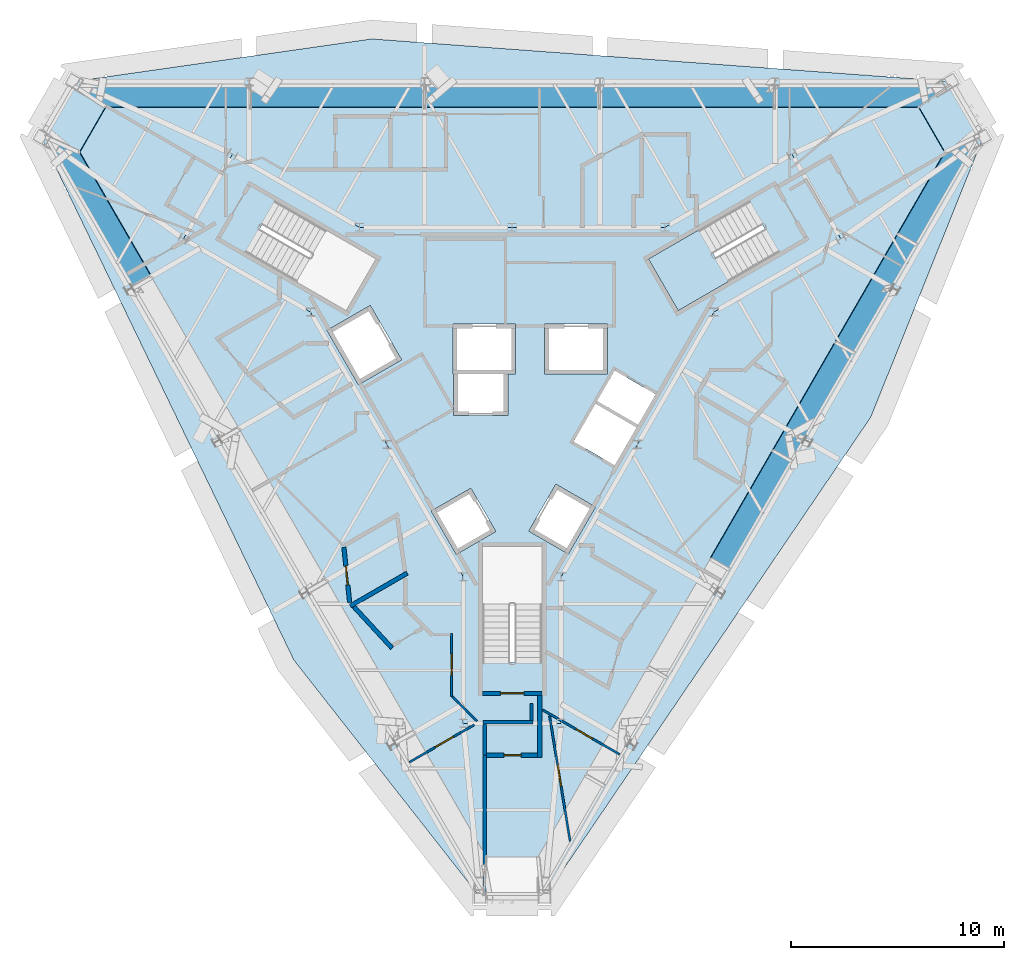
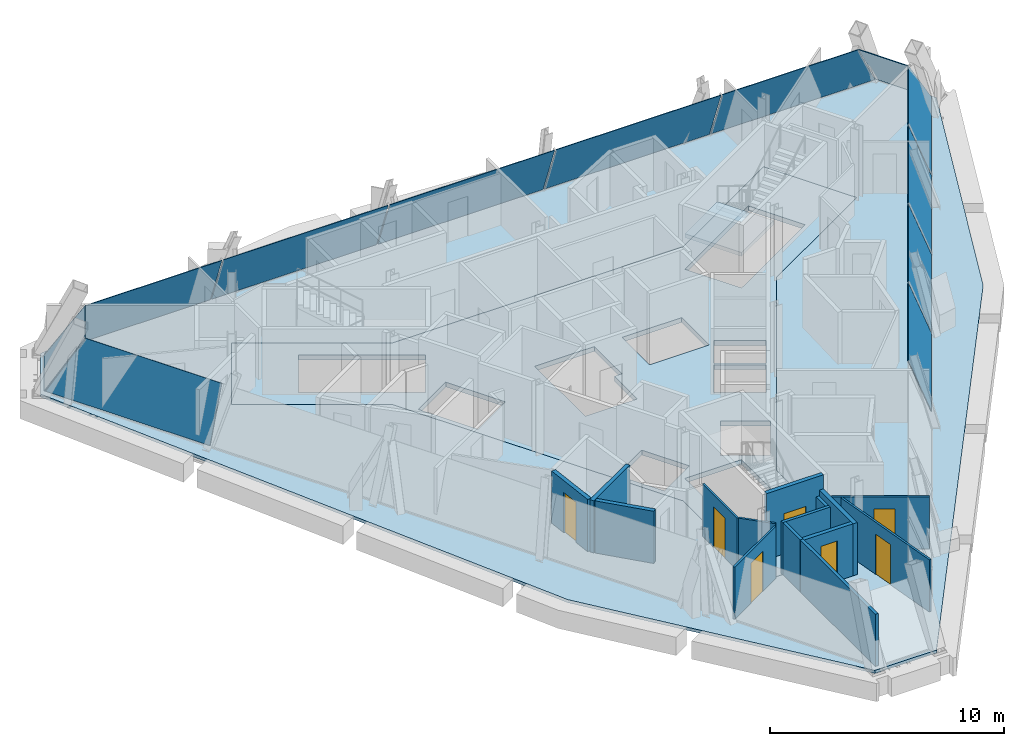
# One storey, part 6 of 13: 15 walls, 12 plates, 7 doors, 3 slabs, 7 openings, 6 elements without a shape of their own.
"""IFC4 building model written with IfcOpenShell, lengths in metres."""

import ifcopenshell
import ifcopenshell.guid

model = None  # the IFC model being written
_history = None  # IfcOwnerHistory: only IFC2X3 demands one
_inside = {}  # id of a spatial element -> (the spatial element, [elements in it])
_under = {}  # id of a project, library or spatial element -> (it, [spatial elements below it])
_declared = {}  # id of a project -> (the project, [libraries it declares])
_typed = {}  # id of a type object -> (the type object, [elements of that type])
_made_of = {}  # id of a material, layer set ... -> (it, [elements and type objects made of it])


def new_model(schema):
    """Start an empty IFC model of exactly this schema.

    Asked for "IFC4X3", IfcOpenShell would pick the latest addendum, in which some entities
    have other attributes; the version numbers below select the first issue.
    IFC2X3 requires an IfcOwnerHistory on every rooted entity: one is made here for all.
    """
    global model, _history
    if schema == "IFC4X3":
        model = ifcopenshell.file(schema_version=(4, 3, 0, 0))
    else:
        model = ifcopenshell.file(schema=schema)
    _inside.clear()
    _under.clear()
    _declared.clear()
    _typed.clear()
    _made_of.clear()
    _history = None
    if model.schema == "IFC2X3":
        org = make("IfcOrganization", Name="unknown")
        user = make(
            "IfcPersonAndOrganization",
            ThePerson=make("IfcPerson", FamilyName="unknown"),
            TheOrganization=org,
        )
        app = make(
            "IfcApplication",
            ApplicationDeveloper=org,
            Version="unknown",
            ApplicationFullName="unknown",
            ApplicationIdentifier="unknown",
        )
        _history = make(
            "IfcOwnerHistory",
            OwningUser=user,
            OwningApplication=app,
            ChangeAction="ADDED",
            CreationDate=0,
        )
    return model


def make(cls, **values):
    """One entity of the class cls with the attributes given. An attribute that is None is left unset."""
    return model.create_entity(
        cls, **{name: value for name, value in values.items() if value is not None}
    )


def rooted(cls, **values):
    """An entity with a GlobalId (a new one), such as an element, a storey or a relation."""
    return make(cls, GlobalId=ifcopenshell.guid.new(), OwnerHistory=_history, **values)


def si_unit(unit_type, name, prefix=None):
    """IfcSIUnit, for example si_unit("LENGTHUNIT", "METRE", prefix="MILLI")."""
    return make("IfcSIUnit", UnitType=unit_type, Prefix=prefix, Name=name)


def assignment(units):
    """IfcUnitAssignment: the units of a project."""
    return None if units is None else make("IfcUnitAssignment", Units=units)


def point(xyz):
    """IfcCartesianPoint."""
    return None if xyz is None else make("IfcCartesianPoint", Coordinates=xyz)


def direction(xyz):
    """IfcDirection."""
    return None if xyz is None else make("IfcDirection", DirectionRatios=xyz)


def frame(location, z_axis=None, x_axis=None):
    """IfcAxis2Placement3D, a coordinate frame: its origin and axes. An axis left out is left unset."""
    return make(
        "IfcAxis2Placement3D",
        Location=point(location),
        Axis=direction(z_axis),
        RefDirection=direction(x_axis),
    )


def frame_2d(location, x_axis=None):
    """IfcAxis2Placement2D, a coordinate frame in the plane: its origin and x axis."""
    return make(
        "IfcAxis2Placement2D", Location=point(location), RefDirection=direction(x_axis)
    )


def origin():
    """The frame at (0, 0, 0) with its axes left unset."""
    return frame((0.0, 0.0, 0.0))


def place(relative_to, where):
    """IfcLocalPlacement: puts the frame where relative to a parent placement (None: the world)."""
    return make(
        "IfcLocalPlacement", PlacementRelTo=relative_to, RelativePlacement=where
    )


def context(
    kind, dimensions, precision=None, world=None, true_north=None, identifier=None
):
    """IfcGeometricRepresentationContext, for example the 3D "Model" context."""
    return make(
        "IfcGeometricRepresentationContext",
        ContextIdentifier=identifier,
        ContextType=kind,
        CoordinateSpaceDimension=dimensions,
        Precision=precision,
        WorldCoordinateSystem=world,
        TrueNorth=true_north,
    )


def subcontext(parent, identifier, kind, view, scale=None):
    """IfcGeometricRepresentationSubContext, for example "Body" below "Model"."""
    return make(
        "IfcGeometricRepresentationSubContext",
        ContextIdentifier=identifier,
        ContextType=kind,
        ParentContext=parent,
        TargetScale=scale,
        TargetView=view,
    )


def project(units=None, contexts=None):
    """IfcProject with its units and contexts."""
    return rooted(
        "IfcProject",
        Name="project",
        RepresentationContexts=contexts,
        UnitsInContext=assignment(units),
    )


def spatial(cls, under=None, at=None, **own):
    """A site, building, storey or space (cls), placed at a placement, below another one or the project."""
    s = rooted(cls, ObjectPlacement=at, **own)
    if under is not None:
        _under.setdefault(under.id(), (under, []))[1].append(s)
    return s


def polyline(points):
    """IfcPolyline through the points."""
    return make("IfcPolyline", Points=[point(p) for p in points])


def profile(cls, at=None, kind="AREA", **sizes):
    """A parametric profile (cls). Its sizes go by their IFC names, for example OverallWidth=200.0."""
    return make(cls, ProfileType=kind, Position=at, **sizes)


def rectangle(**sizes):
    """IfcRectangleProfileDef."""
    return profile("IfcRectangleProfileDef", **sizes)


def outline(outer, holes=None, kind="AREA"):
    """IfcArbitraryClosedProfileDef: a profile drawn as a closed curve; with holes, ...WithVoids."""
    if holes is None:
        return make("IfcArbitraryClosedProfileDef", ProfileType=kind, OuterCurve=outer)
    return make(
        "IfcArbitraryProfileDefWithVoids",
        ProfileType=kind,
        OuterCurve=outer,
        InnerCurves=holes,
    )


def extrude(swept, where, along, depth):
    """IfcExtrudedAreaSolid: the profile swept, set in the frame where, extruded along a direction by depth."""
    return make(
        "IfcExtrudedAreaSolid",
        SweptArea=swept,
        Position=where,
        ExtrudedDirection=direction(along),
        Depth=depth,
    )


def shape(context_of_items, identifier, shape_type, items):
    """IfcShapeRepresentation: the items that make up one representation, for example the "Body"."""
    return make(
        "IfcShapeRepresentation",
        ContextOfItems=context_of_items,
        RepresentationIdentifier=identifier,
        RepresentationType=shape_type,
        Items=items,
    )


def material(Name=None, Category=None):
    """IfcMaterial."""
    return make("IfcMaterial", Name=Name, Category=Category)


def layer(
    of_material, thickness, ventilated=None, Name=None, Category=None, Priority=None
):
    """IfcMaterialLayer: one layer of a wall or slab, of a material (None: an air gap)."""
    return make(
        "IfcMaterialLayer",
        Material=of_material,
        LayerThickness=thickness,
        IsVentilated=ventilated,
        Name=Name,
        Category=Category,
        Priority=Priority,
    )


def layer_set(layers, Name=None):
    """IfcMaterialLayerSet."""
    return make("IfcMaterialLayerSet", MaterialLayers=layers, LayerSetName=Name)


def made_of(thing, what):
    """Note that an element or type object is made of a material, layer set ...; save() writes the relation."""
    if what is not None:
        _made_of.setdefault(what.id(), (what, []))[1].append(thing)
    return thing


def type_object(cls, material=None, **own):
    """A type object (cls), such as IfcWallType, which elements share."""
    return made_of(rooted(cls, **own), material)


def element(
    cls,
    number,
    at=None,
    inside=None,
    cuts=None,
    type_object=None,
    material=None,
    context=None,
    identifier="Body",
    shape_type=None,
    held_by="IfcProductDefinitionShape",
    body=None,
    shapes=None,
    **own,
):
    """One element of the class cls, such as IfcWall. Its Tag is "e" and its number.

    at: its placement. inside: the storey or other place that contains it. cuts: it is an
    opening in that element (IfcRelVoidsElement). A single representation is given by context,
    identifier, shape_type and body (its items); several are given by shapes. held_by: the class
    of the entity that holds the representations. save() writes the other relations.
    """
    e = rooted(cls, Tag="e%d" % number, ObjectPlacement=at, **own)
    if body is not None:
        shapes = [shape(context, identifier, shape_type, body)]
    if shapes is not None:
        e.Representation = make(held_by, Representations=shapes)
    if inside is not None:
        _inside.setdefault(inside.id(), (inside, []))[1].append(e)
    if cuts is not None:
        rooted(
            "IfcRelVoidsElement", RelatingBuildingElement=cuts, RelatedOpeningElement=e
        )
    if type_object is not None:
        _typed.setdefault(type_object.id(), (type_object, []))[1].append(e)
    return made_of(e, material)


def fill(opening, filler):
    """IfcRelFillsElement: the door or window that sits in an opening."""
    return rooted(
        "IfcRelFillsElement",
        RelatingOpeningElement=opening,
        RelatedBuildingElement=filler,
    )


def aggregate(whole, parts):
    """IfcRelAggregates: a whole, such as a stair, and the parts it consists of."""
    return rooted("IfcRelAggregates", RelatingObject=whole, RelatedObjects=parts)


def save(model, path):
    """Write the relations noted so far, then the file.

    IfcRelAggregates (storeys below a building ...), IfcRelContainedInSpatialStructure (elements
    in a storey), IfcRelDefinesByType, IfcRelAssociatesMaterial and IfcRelDeclares: one each for
    every whole, place, type object, material and project.
    """
    for whole, parts in _under.values():
        aggregate(whole, parts)
    for where, things in _inside.values():
        rooted(
            "IfcRelContainedInSpatialStructure",
            RelatedElements=things,
            RelatingStructure=where,
        )
    for kind, things in _typed.values():
        rooted("IfcRelDefinesByType", RelatedObjects=things, RelatingType=kind)
    for what, things in _made_of.values():
        rooted("IfcRelAssociatesMaterial", RelatedObjects=things, RelatingMaterial=what)
    for by, libraries in _declared.values():
        rooted("IfcRelDeclares", RelatingContext=by, RelatedDefinitions=libraries)
    model.write(path)


model = new_model("IFC4")

# Units and contexts
model_context = context("Model", 3, precision=1e-05, world=origin(), true_north=direction((0.0, 1.0)))
body_context = subcontext(model_context, "Body", "Model", "MODEL_VIEW")
ifc_project = project(units=[si_unit("LENGTHUNIT", "METRE"), si_unit("AREAUNIT", "SQUARE_METRE"), si_unit("VOLUMEUNIT", "CUBIC_METRE"), si_unit("PLANEANGLEUNIT", "RADIAN"), si_unit("MASSUNIT", "GRAM", prefix="KILO")], contexts=[model_context])

# Site, building, storey
site_placement = place(None, origin())
site = spatial("IfcSite", under=ifc_project, at=site_placement, CompositionType="ELEMENT")
building_placement = place(site_placement, origin())
building = spatial("IfcBuilding", under=site, at=building_placement, Name="Verrane Prism Tower", CompositionType="ELEMENT")
storey_placement = place(building_placement, frame((0.0, 0.0, 304.699951171875)))
storey = spatial("IfcBuildingStorey", under=building, at=storey_placement, Name="L77", CompositionType="ELEMENT", Elevation=304.699951171875)

# Slabs
ifc_material_1 = material(Name="Concrete C35/45", Category="concrete")
ifc_layer_1 = layer(ifc_material_1, 0.159912109375)
ifc_layer_set_1 = layer_set([ifc_layer_1], Name="Composite floor slab")
slab_type_1 = type_object("IfcSlabType", Name="Composite floor slab", PredefinedType="FLOOR", material=ifc_layer_set_1)
slab_1_placement = place(storey_placement, frame((0.0, 0.0, -0.159912109375)))
element("IfcSlab", 1, at=slab_1_placement, inside=storey, type_object=slab_type_1, Name="Floor slab L77", PredefinedType="FLOOR", context=body_context, shape_type="SweptSolid", body=[
    extrude(outline(polyline([(16.85009765625, -2.114990234375), (1.51904296875, -24.6689453125), (-1.51904296875, -24.6689453125), (-10.256591796875, -13.53515625), (-22.12353515625, 11.01904296875), (-20.6044921875, 13.64990234375), (-6.593505859375, 15.64990234375), (20.6044921875, 13.64990234375), (22.12353515625, 11.01904296875), (16.85009765625, -2.114990234375)]), holes=[polyline([(15.43994140625, 6.260009765625), (13.139892578125, 10.239990234375), (7.179931640625, 6.800048828125), (0.0, 6.800048828125), (-7.179931640625, 6.800048828125), (-13.139892578125, 10.239990234375), (-15.43994140625, 6.260009765625), (-9.47998046875, 2.820068359375), (-5.889892578125, -3.39990234375), (-2.300048828125, -9.6201171875), (-2.300048828125, -16.5), (2.300048828125, -16.5), (2.300048828125, -9.6201171875), (5.889892578125, -3.39990234375), (9.47998046875, 2.820068359375), (15.43994140625, 6.260009765625)])]), origin(), (0.0, 0.0, 1.0), 0.159912109375),
])
ifc_material_2 = material(Name="Concrete C40/50", Category="concrete")
ifc_layer_2 = layer(ifc_material_2, 0.25)
ifc_layer_set_2 = layer_set([ifc_layer_2], Name="Core floor slab 250 concrete C40/50")
slab_type_2 = type_object("IfcSlabType", Name="Core floor slab 250 concrete C40/50", PredefinedType="FLOOR", material=ifc_layer_set_2)
slab_2_placement = place(storey_placement, frame((0.0, 0.0, -0.25)))
element("IfcSlab", 2, at=slab_2_placement, inside=storey, type_object=slab_type_2, Name="Core floor L77", PredefinedType="FLOOR", context=body_context, shape_type="SweptSolid", body=[
    extrude(outline(polyline([(9.47998046875, 2.820068359375), (15.43994140625, 6.260009765625), (13.139892578125, 10.239990234375), (7.179931640625, 6.800048828125), (0.0, 6.800048828125), (-7.179931640625, 6.800048828125), (-13.139892578125, 10.239990234375), (-15.43994140625, 6.260009765625), (-9.47998046875, 2.820068359375), (-5.889892578125, -3.39990234375), (-2.300048828125, -9.6201171875), (-2.300048828125, -16.5), (2.300048828125, -16.5), (2.300048828125, -9.6201171875), (5.889892578125, -3.39990234375), (9.47998046875, 2.820068359375)]), holes=[polyline([(-1.39990234375, -8.199951171875), (1.39990234375, -8.199951171875), (1.39990234375, -13.639892578125), (-1.39990234375, -13.639892578125), (-1.39990234375, -8.199951171875)]), polyline([(-0.76708984375, -7.491943359375), (-2.62890625, -8.56689453125), (-3.803955078125, -6.531982421875), (-1.94189453125, -5.45703125), (-0.76708984375, -7.491943359375)]), polyline([(3.9140625, -6.341064453125), (2.638916015625, -8.550048828125), (0.777099609375, -7.47509765625), (2.052001953125, -5.26611328125), (3.9140625, -6.341064453125)]), polyline([(4.81494140625, -4.37890625), (2.888916015625, -3.26708984375), (3.9130859375, -1.490966796875), (5.841064453125, -2.60302734375), (4.81494140625, -4.37890625)]), polyline([(6.739990234375, -1.044921875), (5.916015625, -2.47412109375), (3.988037109375, -1.361083984375), (4.81396484375, 0.06689453125), (6.739990234375, -1.044921875)]), polyline([(-2.784912109375, -0.10009765625), (-2.784912109375, 2.25), (0.1650390625, 2.25), (0.1650390625, -0.10009765625), (-0.205078125, -0.10009765625), (-0.205078125, -2.050048828125), (-2.7548828125, -2.050048828125), (-2.7548828125, -0.10009765625), (-2.784912109375, -0.10009765625)]), polyline([(4.47509765625, 2.25), (4.47509765625, -0.10009765625), (1.52490234375, -0.10009765625), (1.52490234375, 2.25), (4.47509765625, 2.25)]), polyline([(-8.7041015625, 1.955078125), (-6.66796875, 3.1298828125), (-5.193115234375, 0.574951171875), (-7.22900390625, -0.60009765625), (-8.7041015625, 1.955078125)]), polyline([(-7.801025390625, 2.887939453125), (-12.512939453125, 5.60791015625), (-11.113037109375, 8.031982421875), (-6.40087890625, 5.31201171875), (-7.801025390625, 2.887939453125)]), polyline([(6.40087890625, 5.31201171875), (11.113037109375, 8.031982421875), (12.512939453125, 5.60791015625), (7.801025390625, 2.887939453125), (6.40087890625, 5.31201171875)])]), origin(), (0.0, 0.0, 1.0), 0.25),
])

# Curtain wall, plates
ifc_material_3 = material(Name="Aluminium framed insulated glazing", Category="aluminium")
curtain_wall_type_1 = type_object("IfcCurtainWallType", Name="Curtain wall CW-B 5600 module", PredefinedType="NOTDEFINED", material=ifc_material_3)
curtain_wall_1_placement = place(storey_placement, origin())
curtain_wall_1 = element("IfcCurtainWall", 3, at=curtain_wall_1_placement, inside=storey, type_object=curtain_wall_type_1, Name="Glazed curtain wall south-east face L77", PredefinedType="NOTDEFINED")
ifc_material_4 = material(Name="Low-iron insulating glass unit", Category="glass")
ifc_layer_3 = layer(ifc_material_4, 0.028076171875)
ifc_layer_set_3 = layer_set([ifc_layer_3], Name="Glazing panel IGU 28")
plate_type_1 = type_object("IfcPlateType", Name="Glazing panel IGU 28", PredefinedType="CURTAIN_PANEL", material=ifc_layer_set_3)
plate_1_placement = place(storey_placement, frame((10.193115234375, -9.239501953125, 0.06005859375), z_axis=(0.810758682149, -0.468084306594, 0.351521608497), x_axis=(0.499994042164, 0.866028843516, 0.0)))
plate_1 = element("IfcPlate", 4, at=plate_1_placement, type_object=plate_type_1, Name="CW75.6 panel 4", PredefinedType="CURTAIN_PANEL", context=body_context, shape_type="SweptSolid", body=[
    extrude(outline(polyline([(0.0, 0.0), (5.810127825332138, 1.1102230246251565e-16), (5.810164007940928, 2.8446309431086174), (3.618260878979207e-05, 2.8446309431086174), (0.0, 0.0)])), origin(), (0.0, 0.0, -1.0), 0.028076171875),
])
plate_2_placement = place(storey_placement, frame((13.128173828125, -4.15576171875, 0.06005859375), z_axis=(0.810749407554, -0.468075909718, 0.351554179171), x_axis=(0.499993552228, 0.866029126354, -5.987952e-06)))
plate_2 = element("IfcPlate", 5, at=plate_2_placement, type_object=plate_type_1, Name="CW75.6 panel 5", PredefinedType="CURTAIN_PANEL", context=body_context, shape_type="SweptSolid", body=[
    extrude(outline(polyline([(0.0, 0.0), (5.810461326857559, 1.1102230246251565e-16), (5.810360059982973, 2.84470527097363), (2.080186375129223e-05, 2.8446309415410522), (0.0, 0.0)])), origin(), (0.0, 0.0, -1.0), 0.028076171875),
])
plate_3_placement = place(storey_placement, frame((16.0634765625, 0.92822265625, 0.06005859375), z_axis=(0.810739573475, -0.468092942968, 0.351554178961), x_axis=(0.500007852027, 0.866020870346, 5.988224e-06)))
plate_3 = element("IfcPlate", 6, at=plate_3_placement, type_object=plate_type_1, Name="CW75.6 panel 6", PredefinedType="CURTAIN_PANEL", context=body_context, shape_type="SweptSolid", body=[
    extrude(outline(polyline([(0.0, 0.0), (5.810127824489255, 1.1102230246251565e-16), (5.810164008783816, 2.8446309413870163), (-8.588793493825308e-05, 2.8447052714795658), (0.0, 0.0)])), origin(), (0.0, 0.0, -1.0), 0.028076171875),
])
plate_4_placement = place(storey_placement, frame((18.99853515625, 6.011962890625, 0.06005859375), z_axis=(0.810754751749, -0.468089659582, 0.351523545597), x_axis=(0.500000263738, 0.866025251515, -3.54259e-07)))
plate_4 = element("IfcPlate", 7, at=plate_4_placement, type_object=plate_type_1, Name="CW75.6 panel 7", PredefinedType="CURTAIN_PANEL", context=body_context, shape_type="SweptSolid", body=[
    extrude(outline(polyline([(0.0, 0.0), (5.840319406789233, 2.220446049250313e-16), (4.408240760335297, 2.844634821335505), (2.805550902823626e-05, 2.8446309431942924), (0.0, 0.0)])), origin(), (0.0, 0.0, -1.0), 0.028076171875),
])
aggregate(curtain_wall_1, [plate_1, plate_2, plate_3, plate_4])

# Curtain wall, plate
ifc_material_5 = material(Name="Aluminium framed insulated glazing", Category="aluminium")
curtain_wall_type_2 = type_object("IfcCurtainWallType", Name="Curtain wall CW-A 8400 module", PredefinedType="NOTDEFINED", material=ifc_material_5)
curtain_wall_2_placement = place(storey_placement, origin())
curtain_wall_2 = element("IfcCurtainWall", 8, at=curtain_wall_2_placement, inside=storey, type_object=curtain_wall_type_2, Name="Glazed curtain wall north-east corner L77", PredefinedType="NOTDEFINED")
ifc_material_6 = material(Name="Low-iron insulating glass unit", Category="glass")
ifc_layer_4 = layer(ifc_material_6, 0.031982421875)
ifc_layer_set_4 = layer_set([ifc_layer_4], Name="Glazing panel IGU 32")
plate_type_2 = type_object("IfcPlateType", Name="Glazing panel IGU 32", PredefinedType="CURTAIN_PANEL", material=ifc_layer_set_4)
plate_5_placement = place(storey_placement, frame((21.8837890625, 11.13037109375, 0.070068359375), z_axis=(0.724144651429, 0.418069098926, 0.548482226084), x_axis=(-0.499988846441, 0.866031843181, 5.64577e-06)))
plate_5 = element("IfcPlate", 9, at=plate_5_placement, type_object=plate_type_2, Name="CW75.1 panel 1", PredefinedType="CURTAIN_PANEL", context=body_context, shape_type="SweptSolid", body=[
    extrude(outline(polyline([(0.0, 0.0), (2.6753127640219194, 1.1102230246251565e-16), (2.5253443792894514, 3.172903380298573), (0.11506185848217815, 3.172937718253081), (0.0, 0.0)])), origin(), (0.0, 0.0, -1.0), 0.031982421875),
])
aggregate(curtain_wall_2, [plate_5])

# Curtain wall, plates
curtain_wall_3_placement = place(storey_placement, origin())
curtain_wall_3 = element("IfcCurtainWall", 10, at=curtain_wall_3_placement, inside=storey, type_object=curtain_wall_type_2, Name="Glazed curtain wall north face L77", PredefinedType="NOTDEFINED")
plate_6_placement = place(storey_placement, frame((20.47607421875, 13.447265625, 0.070068359375), z_axis=(0.0, 0.93573689023, 0.352698840745), x_axis=(-1.0, 0.0, 0.0)))
plate_6 = element("IfcPlate", 11, at=plate_6_placement, type_object=plate_type_2, Name="CW75.2 panel 1", PredefinedType="CURTAIN_PANEL", context=body_context, shape_type="SweptSolid", body=[
    extrude(outline(polyline([(0.0, 0.0), (8.113525390625, 0.0), (8.113525390625, 2.8352800873583734), (1.39697265625, 2.8352800873583734), (0.0, 0.0)])), origin(), (0.0, 0.0, -1.0), 0.031982421875),
])
plate_7_placement = place(storey_placement, frame((12.292724609375, 13.447265625, 0.070068359375), z_axis=(0.0, 0.93573689023, 0.352698840745), x_axis=(-1.0, 0.0, 0.0)))
plate_7 = element("IfcPlate", 12, at=plate_7_placement, type_object=plate_type_2, Name="CW75.2 panel 2", PredefinedType="CURTAIN_PANEL", context=body_context, shape_type="SweptSolid", body=[
    extrude(outline(polyline([(0.0, 0.0), (8.1484375, 0.0), (8.1484375, 2.8352800873583734), (0.0, 2.8352800873583734), (0.0, 0.0)])), origin(), (0.0, 0.0, -1.0), 0.031982421875),
])
plate_8_placement = place(storey_placement, frame((4.07421875, 13.447265625, 0.070068359375), z_axis=(0.0, 0.93573689023, 0.352698840745), x_axis=(-1.0, 0.0, 0.0)))
plate_8 = element("IfcPlate", 13, at=plate_8_placement, type_object=plate_type_2, Name="CW75.2 panel 3", PredefinedType="CURTAIN_PANEL", context=body_context, shape_type="SweptSolid", body=[
    extrude(outline(polyline([(0.0, 0.0), (8.1484375, 0.0), (8.1484375, 2.8352800873583734), (0.0, 2.8352800873583734), (0.0, 0.0)])), origin(), (0.0, 0.0, -1.0), 0.031982421875),
])
plate_9_placement = place(storey_placement, frame((-12.362548828125, 13.447265625, 0.070068359375), z_axis=(0.0, 0.93573689023, 0.352698840745), x_axis=(-1.0, 0.0, 0.0)))
plate_9 = element("IfcPlate", 14, at=plate_9_placement, type_object=plate_type_2, Name="CW75.2 panel 5", PredefinedType="CURTAIN_PANEL", context=body_context, shape_type="SweptSolid", body=[
    extrude(outline(polyline([(0.0, 0.0), (8.18359375, 0.0), (6.75146484375, 2.8352800873583734), (0.0, 2.8352800873583734), (0.0, 0.0)])), origin(), (0.0, 0.0, -1.0), 0.031982421875),
])

# Curtain wall, plate
curtain_wall_4_placement = place(storey_placement, origin())
curtain_wall_4 = element("IfcCurtainWall", 15, at=curtain_wall_4_placement, inside=storey, type_object=curtain_wall_type_2, Name="Glazed curtain wall north-west corner L77", PredefinedType="NOTDEFINED")
plate_10_placement = place(storey_placement, frame((-20.5810546875, 13.386474609375, 0.070068359375), z_axis=(-0.724157889279, 0.41809991778, 0.548441254964), x_axis=(-0.500015267416, -0.866016588819, -1.5564251e-05)))
plate_10 = element("IfcPlate", 16, at=plate_10_placement, type_object=plate_type_2, Name="CW75.3 panel 1", PredefinedType="CURTAIN_PANEL", context=body_context, shape_type="SweptSolid", body=[
    extrude(outline(polyline([(0.0, 0.0), (2.675101333366718, 0.0), (2.5250755100579547, 3.172865459841666), (0.11479299190299656, 3.172770803988383), (0.0, 0.0)])), origin(), (0.0, 0.0, -1.0), 0.031982421875),
])
aggregate(curtain_wall_4, [plate_10])

curtain_wall_5_placement = place(storey_placement, origin())
curtain_wall_5 = element("IfcCurtainWall", 17, at=curtain_wall_5_placement, inside=storey, type_object=curtain_wall_type_2, Name="Glazed curtain wall south-west face L77", PredefinedType="NOTDEFINED")
plate_11_placement = place(storey_placement, frame((-21.8837890625, 11.00927734375, 0.070068359375), z_axis=(-0.810370585753, -0.467866316209, 0.352704726227), x_axis=(0.499999837233, -0.866025497753, 2.839765e-06)))
plate_11 = element("IfcPlate", 18, at=plate_11_placement, type_object=plate_type_2, Name="CW75.4 panel 1", PredefinedType="CURTAIN_PANEL", context=body_context, shape_type="SweptSolid", body=[
    extrude(outline(polyline([(0.0, 0.0), (8.113666295444203, 0.0), (8.113644338167529, 2.83526218581478), (1.39720018652859, 2.8353071921924236), (0.0, 0.0)])), origin(), (0.0, 0.0, -1.0), 0.031982421875),
])
aggregate(curtain_wall_5, [plate_11])

# Stair, slab
ifc_material_7 = material(Name="Concrete C40/50", Category="concrete")
stair_type = type_object("IfcStairType", Name="Exit stair 1300 dog-leg precast concrete C40/50", PredefinedType="HALF_TURN_STAIR", material=ifc_material_7)
stair_placement = place(storey_placement, origin())
stair = element("IfcStair", 19, at=stair_placement, inside=storey, type_object=stair_type, Name="Stair 1 L77", PredefinedType="HALF_TURN_STAIR")
ifc_material_8 = material(Name="Concrete C40/50", Category="concrete")
ifc_layer_5 = layer(ifc_material_8, 0.199951171875)
ifc_layer_set_5 = layer_set([ifc_layer_5], Name="Stair landing 200 precast concrete C40/50")
slab_type_3 = type_object("IfcSlabType", Name="Stair landing 200 precast concrete C40/50", PredefinedType="LANDING", material=ifc_layer_set_5)
slab_3_placement = place(storey_placement, frame((0.0, 0.0, 1.650146484375)))
slab_3 = element("IfcSlab", 20, at=slab_3_placement, type_object=slab_type_3, Name="Stair 1 landing 1", PredefinedType="LANDING", context=body_context, shape_type="SweptSolid", body=[
    extrude(outline(polyline([(8.791748046875, 6.6923828125), (6.4013671875, 5.3125), (7.801513671875, 2.887451171875), (10.191650390625, 4.267578125), (8.791748046875, 6.6923828125)])), origin(), (0.0, 0.0, 1.0), 0.199951171875),
])
aggregate(stair, [slab_3])

# Plate
ifc_material_9 = material(Name="Warm limestone cladding", Category="masonry")
ifc_layer_6 = layer(ifc_material_9, 0.028076171875)
ifc_layer_set_6 = layer_set([ifc_layer_6], Name="Stone-faced spandrel panel 28")
plate_type_3 = type_object("IfcPlateType", Name="Stone-faced spandrel panel 28", PredefinedType="CURTAIN_PANEL", material=ifc_layer_set_6)
plate_12_placement = place(storey_placement, frame((-4.144287109375, 13.447265625, 0.070068359375), z_axis=(0.0, 0.93573689023, 0.352698840745), x_axis=(-1.0, 0.0, 0.0)))
plate_12 = element("IfcPlate", 21, at=plate_12_placement, type_object=plate_type_3, Name="CW75.2 panel 4", PredefinedType="CURTAIN_PANEL", context=body_context, shape_type="SweptSolid", body=[
    extrude(outline(polyline([(0.0, 0.0), (8.1484375, 0.0), (8.1484375, 2.8352800873583734), (0.0, 2.8352800873583734), (0.0, 0.0)])), origin(), (0.0, 0.0, -1.0), 0.028076171875),
])

aggregate(curtain_wall_3, [plate_6, plate_7, plate_8, plate_12, plate_9])

# Wall, opening, door
ifc_material_10 = material(Name="Concrete C40/50", Category="concrete")
ifc_layer_7 = layer(ifc_material_10, 0.199951171875)
ifc_layer_set_7 = layer_set([ifc_layer_7], Name="CW-200 stair core wall concrete C40/50 3 h")
wall_type_1 = type_object("IfcWallType", Name="CW-200 stair core wall concrete C40/50 3 h", PredefinedType="PARTITIONING", material=ifc_layer_set_7)
wall_1_placement = place(storey_placement, frame((-1.39990234375, -15.10009765625, 0.0), z_axis=(0.0, 0.0, 1.0), x_axis=(1.0, 0.0, 0.0)))
wall_1 = element("IfcWall", 22, at=wall_1_placement, inside=storey, type_object=wall_type_1, Name="Stair 3 enclosure wall", PredefinedType="PARTITIONING", context=body_context, shape_type="SweptSolid", body=[
    extrude(rectangle(XDim=2.7998046875, YDim=0.199951171875, at=frame_2d((1.39990234375, 0.0))), origin(), (0.0, 0.0, 1.0), 3.449951171875),
])
opening_1_placement = place(wall_1_placement, frame((0.85009765625, 0.0, 0.0)))
opening_1 = element("IfcOpeningElement", 23, at=opening_1_placement, cuts=wall_1, Name="Opening D75502", PredefinedType="OPENING", context=body_context, shape_type="SweptSolid", body=[
    extrude(rectangle(XDim=1.10009765625, YDim=2.10009765625, at=frame_2d((0.550048828125, 1.050048828125))), frame((0.0, 0.10986328125, 0.0), z_axis=(0.0, -1.0, 0.0), x_axis=(1.0, 0.0, 0.0)), (0.0, 0.0, 1.0), 0.219970703125),
])
ifc_material_11 = material(Name="Timber veneered door leaf", Category="wood")
door_type_1 = type_object("IfcDoorType", Name="DR-1100x2100 FD90 single leaf stair", OperationType="NOTDEFINED", PredefinedType="DOOR", material=ifc_material_11)
door_1_placement = place(opening_1_placement, origin())
door_1 = element("IfcDoor", 24, at=door_1_placement, inside=storey, type_object=door_type_1, Name="Stair 3 door", OperationType="SINGLE_SWING_LEFT", OverallHeight=2.10009765625, OverallWidth=1.10009765625, PredefinedType="DOOR", context=body_context, shape_type="SweptSolid", body=[
    extrude(rectangle(XDim=1.10009765625, YDim=2.10009765625, at=frame_2d((0.550048828125, 1.050048828125))), frame((0.0, 0.02490234375, 0.0), z_axis=(0.0, -1.0, 0.0), x_axis=(1.0, 0.0, 0.0)), (0.0, 0.0, 1.0), 0.050048828125),
])
fill(opening_1, door_1)

ifc_material_12 = material(Name="Gypsum board partition", Category="other")
ifc_layer_8 = layer(ifc_material_12, 0.10009765625)
ifc_layer_set_8 = layer_set([ifc_layer_8], Name="PW-100 room partition")
wall_type_2 = type_object("IfcWallType", Name="PW-100 room partition", PredefinedType="PARTITIONING", material=ifc_layer_set_8)
wall_2_placement = place(storey_placement, frame((-1.77783203125, -16.568359375, 0.0), z_axis=(0.0, 0.0, 1.0), x_axis=(-0.866019606374, -0.500010041276, 0.0)))
wall_2 = element("IfcWall", 25, at=wall_2_placement, inside=storey, type_object=wall_type_2, Name="Room partition 036", PredefinedType="PARTITIONING", context=body_context, shape_type="SweptSolid", body=[
    extrude(rectangle(XDim=3.52734375, YDim=0.10009765625, at=frame_2d((1.763671875, 0.0))), origin(), (0.0, 0.0, 1.0), 2.72314453125),
])
opening_2_placement = place(wall_2_placement, frame((1.12353515625, 0.0, 0.0)))
opening_2 = element("IfcOpeningElement", 26, at=opening_2_placement, cuts=wall_2, Name="Opening D75029", PredefinedType="OPENING", context=body_context, shape_type="SweptSolid", body=[
    extrude(rectangle(XDim=1.0, YDim=2.10009765625, at=frame_2d((0.5, 1.050048828125))), frame((0.0, 0.06005859375, 0.0), z_axis=(0.0, -1.0, 0.0), x_axis=(1.0, 0.0, 0.0)), (0.0, 0.0, 1.0), 0.1201171875),
])
ifc_material_13 = material(Name="Timber veneered door leaf", Category="wood")
door_type_2 = type_object("IfcDoorType", Name="DR-1000x2100 single leaf inner", OperationType="NOTDEFINED", PredefinedType="DOOR", material=ifc_material_13)
door_2_placement = place(opening_2_placement, origin())
door_2 = element("IfcDoor", 27, at=door_2_placement, inside=storey, type_object=door_type_2, Name="Living And Dining Room door", OperationType="SINGLE_SWING_RIGHT", OverallHeight=2.10009765625, OverallWidth=1.0, PredefinedType="DOOR", context=body_context, shape_type="SweptSolid", body=[
    extrude(rectangle(XDim=1.0, YDim=2.10009765625, at=frame_2d((0.5, 1.050048828125))), frame((0.0, 0.02490234375, 0.0), z_axis=(0.0, -1.0, 0.0), x_axis=(1.0, 0.0, 0.0)), (0.0, 0.0, 1.0), 0.050048828125),
])
fill(opening_2, door_2)

wall_3_placement = place(storey_placement, frame((-2.85009765625, -15.25, 0.0), z_axis=(0.0, 0.0, 1.0), x_axis=(0.0, 1.0, 0.0)))
wall_3 = element("IfcWall", 28, at=wall_3_placement, inside=storey, type_object=wall_type_2, Name="Room partition 040", PredefinedType="PARTITIONING", context=body_context, shape_type="SweptSolid", body=[
    extrude(rectangle(XDim=2.9609375, YDim=0.10009765625, at=frame_2d((1.48046875, 0.0))), origin(), (0.0, 0.0, 1.0), 2.72314453125),
])
opening_3_placement = place(wall_3_placement, frame((1.0, 0.0, 0.0)))
opening_3 = element("IfcOpeningElement", 29, at=opening_3_placement, cuts=wall_3, Name="Opening D75027", PredefinedType="OPENING", context=body_context, shape_type="SweptSolid", body=[
    extrude(rectangle(XDim=1.0, YDim=2.10009765625, at=frame_2d((0.5, 1.050048828125))), frame((0.0, 0.06005859375, 0.0), z_axis=(0.0, -1.0, 0.0), x_axis=(1.0, 0.0, 0.0)), (0.0, 0.0, 1.0), 0.1201171875),
])
door_3_placement = place(opening_3_placement, origin())
door_3 = element("IfcDoor", 30, at=door_3_placement, inside=storey, type_object=door_type_2, Name="Entrance Foyer door", OperationType="SINGLE_SWING_LEFT", OverallHeight=2.10009765625, OverallWidth=1.0, PredefinedType="DOOR", context=body_context, shape_type="SweptSolid", body=[
    extrude(rectangle(XDim=1.0, YDim=2.10009765625, at=frame_2d((0.5, 1.050048828125))), frame((0.0, 0.02490234375, 0.0), z_axis=(0.0, -1.0, 0.0), x_axis=(1.0, 0.0, 0.0)), (0.0, 0.0, 1.0), 0.050048828125),
])
fill(opening_3, door_3)

# Wall
wall_4_placement = place(storey_placement, frame((-2.800537109375, -15.24951171875, 0.0), z_axis=(0.0, 0.0, 1.0), x_axis=(0.707181547962, -0.707032006505, 0.0)))
element("IfcWall", 31, at=wall_4_placement, inside=storey, type_object=wall_type_2, Name="Room partition 041", PredefinedType="PARTITIONING", context=body_context, shape_type="SweptSolid", body=[
    extrude(rectangle(XDim=1.632568359375, YDim=0.10009765625, at=frame_2d((0.81640625, 0.0))), origin(), (0.0, 0.0, 1.0), 2.72314453125),
])

# Wall, opening, door
wall_5_placement = place(storey_placement, frame((5.046875, -17.9609375, 0.0), z_axis=(0.0, 0.0, 1.0), x_axis=(-0.866050460131, 0.499956598623, 0.0)))
wall_5 = element("IfcWall", 32, at=wall_5_placement, inside=storey, type_object=wall_type_2, Name="Room partition 049", PredefinedType="PARTITIONING", context=body_context, shape_type="SweptSolid", body=[
    extrude(rectangle(XDim=4.181884765625, YDim=0.10009765625, at=frame_2d((2.0908203125, 0.0))), origin(), (0.0, 0.0, 1.0), 2.72314453125),
])
opening_4_placement = place(wall_5_placement, frame((1.46923828125, 0.0, 0.0)))
opening_4 = element("IfcOpeningElement", 33, at=opening_4_placement, cuts=wall_5, Name="Opening D75001", PredefinedType="OPENING", context=body_context, shape_type="SweptSolid", body=[
    extrude(rectangle(XDim=0.89990234375, YDim=2.10009765625, at=frame_2d((0.449951171875, 1.050048828125))), frame((0.0, 0.06005859375, 0.0), z_axis=(0.0, -1.0, 0.0), x_axis=(1.0, 0.0, 0.0)), (0.0, 0.0, 1.0), 0.1201171875),
])
ifc_material_14 = material(Name="Timber veneered door leaf", Category="wood")
door_type_3 = type_object("IfcDoorType", Name="DR-900x2100 single leaf inner", OperationType="NOTDEFINED", PredefinedType="DOOR", material=ifc_material_14)
door_4_placement = place(opening_4_placement, origin())
door_4 = element("IfcDoor", 34, at=door_4_placement, inside=storey, type_object=door_type_3, Name="Living And Dining Room door", OperationType="SINGLE_SWING_RIGHT", OverallHeight=2.10009765625, OverallWidth=0.89990234375, PredefinedType="DOOR", context=body_context, shape_type="SweptSolid", body=[
    extrude(rectangle(XDim=0.89990234375, YDim=2.10009765625, at=frame_2d((0.449951171875, 1.050048828125))), frame((0.0, 0.02490234375, 0.0), z_axis=(0.0, -1.0, 0.0), x_axis=(1.0, 0.0, 0.0)), (0.0, 0.0, 1.0), 0.050048828125),
])
fill(opening_4, door_4)

wall_6_placement = place(storey_placement, frame((2.72119140625, -22.047607421875, 0.0), z_axis=(0.0, 0.0, 1.0), x_axis=(-0.161659467857, 0.98684660229, 0.0)))
wall_6 = element("IfcWall", 35, at=wall_6_placement, inside=storey, type_object=wall_type_2, Name="Room partition 053", PredefinedType="PARTITIONING", context=body_context, shape_type="SweptSolid", body=[
    extrude(rectangle(XDim=5.969970703125, YDim=0.10009765625, at=frame_2d((2.98486328125, 0.0))), origin(), (0.0, 0.0, 1.0), 2.72314453125),
])
opening_5_placement = place(wall_6_placement, frame((2.62548828125, 0.0, 0.0)))
opening_5 = element("IfcOpeningElement", 36, at=opening_5_placement, cuts=wall_6, Name="Opening D75005", PredefinedType="OPENING", context=body_context, shape_type="SweptSolid", body=[
    extrude(rectangle(XDim=1.0, YDim=2.10009765625, at=frame_2d((0.5, 1.050048828125))), frame((0.0, 0.06005859375, 0.0), z_axis=(0.0, -1.0, 0.0), x_axis=(1.0, 0.0, 0.0)), (0.0, 0.0, 1.0), 0.1201171875),
])
door_5_placement = place(opening_5_placement, origin())
door_5 = element("IfcDoor", 37, at=door_5_placement, inside=storey, type_object=door_type_2, Name="Study door", OperationType="SINGLE_SWING_RIGHT", OverallHeight=2.10009765625, OverallWidth=1.0, PredefinedType="DOOR", context=body_context, shape_type="SweptSolid", body=[
    extrude(rectangle(XDim=1.0, YDim=2.10009765625, at=frame_2d((0.5, 1.050048828125))), frame((0.0, 0.02490234375, 0.0), z_axis=(0.0, -1.0, 0.0), x_axis=(1.0, 0.0, 0.0)), (0.0, 0.0, 1.0), 0.050048828125),
])
fill(opening_5, door_5)

# Walls
ifc_material_15 = material(Name="Gypsum board partition", Category="other")
ifc_layer_9 = layer(ifc_material_15, 0.14990234375)
ifc_layer_set_9 = layer_set([ifc_layer_9], Name="PW-150 demising wall 1 h")
wall_type_3 = type_object("IfcWallType", Name="PW-150 demising wall 1 h", PredefinedType="PARTITIONING", material=ifc_layer_set_9)
wall_7_placement = place(storey_placement, frame((-1.3701171875, -16.449951171875, 0.0), z_axis=(0.0, 0.0, 1.0), x_axis=(1.0, 0.0, 0.0)))
element("IfcWall", 38, at=wall_7_placement, inside=storey, type_object=wall_type_3, Name="Demising wall 042", PredefinedType="PARTITIONING", context=body_context, shape_type="SweptSolid", body=[
    extrude(rectangle(XDim=2.34521484375, YDim=0.14990234375, at=frame_2d((1.172607421875, 0.0))), origin(), (0.0, 0.0, 1.0), 2.72314453125),
])
wall_8_placement = place(storey_placement, frame((-1.285888671875, -24.4208984375, 0.0), z_axis=(0.0, 0.0, 1.0), x_axis=(0.0, 1.0, 0.0)))
element("IfcWall", 39, at=wall_8_placement, inside=storey, type_object=wall_type_3, Name="Demising wall 043", PredefinedType="PARTITIONING", context=body_context, shape_type="SweptSolid", body=[
    extrude(rectangle(XDim=6.416015625, YDim=0.14990234375, at=frame_2d((3.2080078125, 0.0))), origin(), (0.0, 0.0, 1.0), 2.72314453125),
])
wall_9_placement = place(storey_placement, frame((-1.285888671875, -18.0, 0.0), z_axis=(0.0, 0.0, 1.0), x_axis=(0.0, 1.0, 0.0)))
element("IfcWall", 40, at=wall_9_placement, inside=storey, type_object=wall_type_3, Name="Demising wall 044", PredefinedType="PARTITIONING", context=body_context, shape_type="SweptSolid", body=[
    extrude(rectangle(XDim=1.47509765625, YDim=0.14990234375, at=frame_2d((0.737548828125, 0.0))), origin(), (0.0, 0.0, 1.0), 2.72314453125),
])
wall_10_placement = place(storey_placement, frame((0.89990234375, -16.375, 0.0), z_axis=(0.0, 0.0, 1.0), x_axis=(0.0, 1.0, 0.0)))
element("IfcWall", 41, at=wall_10_placement, inside=storey, type_object=wall_type_3, Name="Demising wall 046", PredefinedType="PARTITIONING", context=body_context, shape_type="SweptSolid", body=[
    extrude(rectangle(XDim=0.80810546875, YDim=0.14990234375, at=frame_2d((0.404052734375, 0.0))), origin(), (0.0, 0.0, 1.0), 2.72314453125),
])

# Wall, opening, door
ifc_material_16 = material(Name="Gypsum board partition", Category="other")
ifc_layer_10 = layer(ifc_material_16, 0.199951171875)
ifc_layer_set_10 = layer_set([ifc_layer_10], Name="PW-200 plumbing wall")
wall_type_4 = type_object("IfcWallType", Name="PW-200 plumbing wall", PredefinedType="PARTITIONING", material=ifc_layer_set_10)
wall_11_placement = place(storey_placement, frame((-7.90673828125, -8.234619140625, 0.0), z_axis=(0.0, 0.0, 1.0), x_axis=(0.103623353624, -0.994616609847, 0.0)))
wall_11 = element("IfcWall", 42, at=wall_11_placement, inside=storey, type_object=wall_type_4, Name="Plumbing wall 024", PredefinedType="PARTITIONING", context=body_context, shape_type="SweptSolid", body=[
    extrude(rectangle(XDim=2.622314453125, YDim=0.199951171875, at=frame_2d((1.31103515625, 0.0))), origin(), (0.0, 0.0, 1.0), 2.72314453125),
])
opening_6_placement = place(wall_11_placement, frame((0.8798828125, 0.0, 0.0)))
opening_6 = element("IfcOpeningElement", 43, at=opening_6_placement, cuts=wall_11, Name="Opening D75028", PredefinedType="OPENING", context=body_context, shape_type="SweptSolid", body=[
    extrude(rectangle(XDim=0.89990234375, YDim=2.10009765625, at=frame_2d((0.449951171875, 1.050048828125))), frame((0.0, 0.10986328125, 0.0), z_axis=(0.0, -1.0, 0.0), x_axis=(1.0, 0.0, 0.0)), (0.0, 0.0, 1.0), 0.219970703125),
])
door_6_placement = place(opening_6_placement, origin())
door_6 = element("IfcDoor", 44, at=door_6_placement, inside=storey, type_object=door_type_3, Name="Kitchen door", OperationType="SINGLE_SWING_RIGHT", OverallHeight=2.10009765625, OverallWidth=0.89990234375, PredefinedType="DOOR", context=body_context, shape_type="SweptSolid", body=[
    extrude(rectangle(XDim=0.89990234375, YDim=2.10009765625, at=frame_2d((0.449951171875, 1.050048828125))), frame((0.0, 0.02490234375, 0.0), z_axis=(0.0, -1.0, 0.0), x_axis=(1.0, 0.0, 0.0)), (0.0, 0.0, 1.0), 0.050048828125),
])
fill(opening_6, door_6)

# Walls
wall_12_placement = place(storey_placement, frame((-7.43408203125, -11.03173828125, 0.0), z_axis=(0.0, 0.0, 1.0), x_axis=(0.678387636859, -0.734704167782, 0.0)))
element("IfcWall", 45, at=wall_12_placement, inside=storey, type_object=wall_type_4, Name="Plumbing wall 026", PredefinedType="PARTITIONING", context=body_context, shape_type="SweptSolid", body=[
    extrude(rectangle(XDim=2.64013671875, YDim=0.199951171875, at=frame_2d((1.320068359375, 0.0))), origin(), (0.0, 0.0, 1.0), 2.72314453125),
])
wall_13_placement = place(storey_placement, frame((-7.605712890625, -10.989990234375, 0.0), z_axis=(0.0, 0.0, 1.0), x_axis=(0.865956409518, 0.500119482538, 0.0)))
element("IfcWall", 46, at=wall_13_placement, inside=storey, type_object=wall_type_4, Name="Plumbing wall 027", PredefinedType="PARTITIONING", context=body_context, shape_type="SweptSolid", body=[
    extrude(rectangle(XDim=3.087158203125, YDim=0.199951171875, at=frame_2d((1.54345703125, 0.0))), origin(), (0.0, 0.0, 1.0), 2.72314453125),
])

# Wall, opening, door
wall_14_placement = place(storey_placement, frame((-1.2109375, -18.0, 0.0), z_axis=(0.0, 0.0, 1.0), x_axis=(1.0, 0.0, 0.0)))
wall_14 = element("IfcWall", 47, at=wall_14_placement, inside=storey, type_object=wall_type_4, Name="Plumbing wall 045", PredefinedType="PARTITIONING", context=body_context, shape_type="SweptSolid", body=[
    extrude(rectangle(XDim=2.410888671875, YDim=0.199951171875, at=frame_2d((1.20556640625, 0.0))), origin(), (0.0, 0.0, 1.0), 2.72314453125),
])
opening_7_placement = place(wall_14_placement, frame((0.824951171875, 0.0, 0.0)))
opening_7 = element("IfcOpeningElement", 48, at=opening_7_placement, cuts=wall_14, Name="Opening D75006", PredefinedType="OPENING", context=body_context, shape_type="SweptSolid", body=[
    extrude(rectangle(XDim=0.800048828125, YDim=2.10009765625, at=frame_2d((0.39990234375, 1.050048828125))), frame((0.0, 0.10986328125, 0.0), z_axis=(0.0, -1.0, 0.0), x_axis=(1.0, 0.0, 0.0)), (0.0, 0.0, 1.0), 0.219970703125),
])
ifc_material_17 = material(Name="Timber veneered door leaf", Category="wood")
door_type_4 = type_object("IfcDoorType", Name="DR-800x2100 single leaf bath", OperationType="NOTDEFINED", PredefinedType="DOOR", material=ifc_material_17)
door_7_placement = place(opening_7_placement, origin())
door_7 = element("IfcDoor", 49, at=door_7_placement, inside=storey, type_object=door_type_4, Name="Master Bathroom door", OperationType="SINGLE_SWING_RIGHT", OverallHeight=2.10009765625, OverallWidth=0.800048828125, PredefinedType="DOOR", context=body_context, shape_type="SweptSolid", body=[
    extrude(rectangle(XDim=0.800048828125, YDim=2.10009765625, at=frame_2d((0.39990234375, 1.050048828125))), frame((0.0, 0.02490234375, 0.0), z_axis=(0.0, -1.0, 0.0), x_axis=(1.0, 0.0, 0.0)), (0.0, 0.0, 1.0), 0.050048828125),
])
fill(opening_7, door_7)

# Wall
wall_15_placement = place(storey_placement, frame((1.300048828125, -18.10009765625, 0.0), z_axis=(0.0, 0.0, 1.0), x_axis=(0.0, 1.0, 0.0)))
element("IfcWall", 50, at=wall_15_placement, inside=storey, type_object=wall_type_4, Name="Plumbing wall 048", PredefinedType="PARTITIONING", context=body_context, shape_type="SweptSolid", body=[
    extrude(rectangle(XDim=2.900146484375, YDim=0.199951171875, at=frame_2d((1.4501953125, 0.0))), origin(), (0.0, 0.0, 1.0), 2.72314453125),
])

save(model, "model.ifc")
